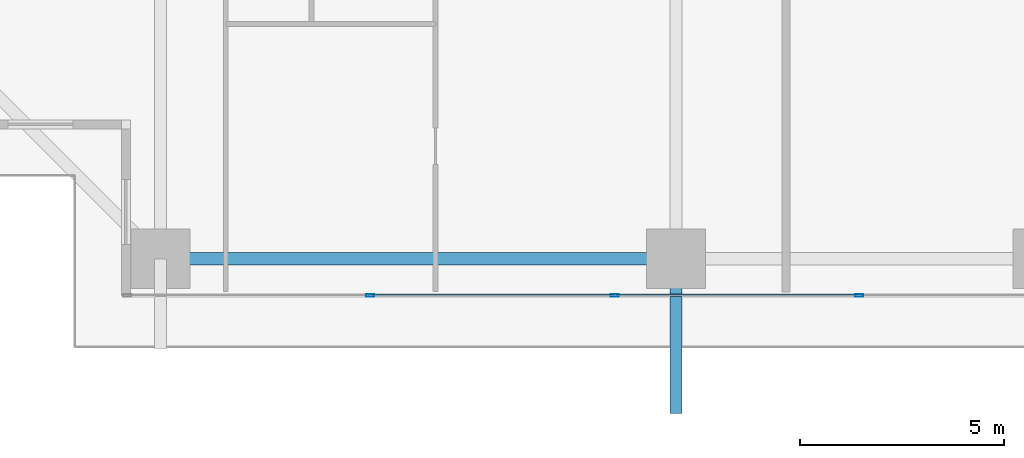
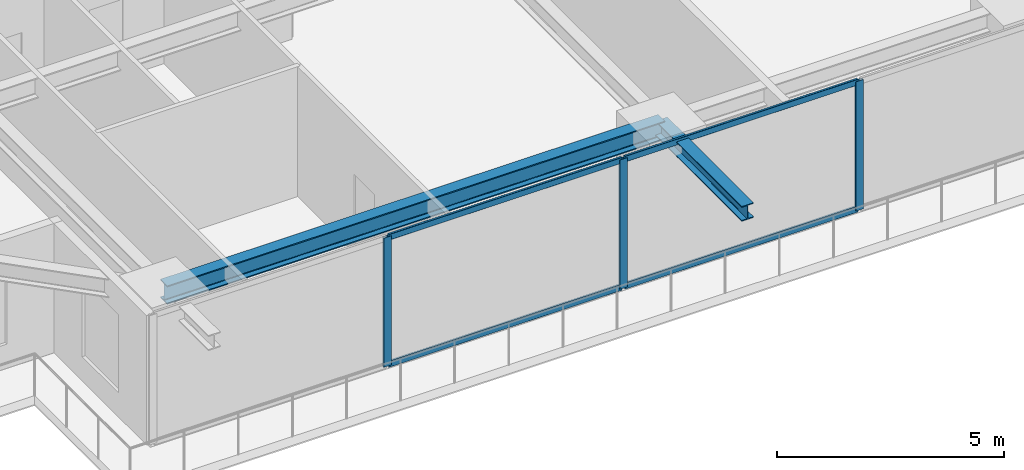
# One storey, part 4 of 36: 7 members, 2 beams, 1 element without a shape of its own.
"""IFC4 building model written with IfcOpenShell, lengths in metres."""

from ifc_helpers import new_model, si_unit, direction, frame, origin, origin_2d, place, context, subcontext, project, spatial, hollow_rectangle, i_section, extrude, source, transform, mapped, material, layer, layer_set, material_profile, profile_set, type_object, element, aggregate, save


model = new_model("IFC4")

# Units and contexts
model_context = context("Model", 3, precision=1e-05, world=origin(), true_north=direction((0.0, 1.0)))
body_context = subcontext(model_context, "Body", "Model", "MODEL_VIEW")
ifc_project = project(units=[si_unit("LENGTHUNIT", "METRE"), si_unit("AREAUNIT", "SQUARE_METRE"), si_unit("VOLUMEUNIT", "CUBIC_METRE"), si_unit("PLANEANGLEUNIT", "RADIAN"), si_unit("MASSUNIT", "GRAM", prefix="KILO")], contexts=[model_context])

# Site, building, storey
site_placement = place(None, origin())
site = spatial("IfcSite", under=ifc_project, at=site_placement, CompositionType="ELEMENT")
building_placement = place(site_placement, origin())
building = spatial("IfcBuilding", under=site, at=building_placement, Name="Serunith Strait Residences", CompositionType="ELEMENT")
storey_placement = place(building_placement, frame((0.0, 0.0, 41.699951171875)))
storey = spatial("IfcBuildingStorey", under=building, at=storey_placement, Name="L09", CompositionType="ELEMENT", Elevation=41.699951171875)

# Beams
ifc_material_1 = material(Name="Steel S355J2", Category="steel")
ifc_material_profile_1 = material_profile(ifc_material_1, i_section(OverallWidth=0.300048828125, OverallDepth=0.5, WebThickness=0.014404296875, FlangeThickness=0.028076171875, FilletRadius=0.027099609375, at=origin_2d()), Name="HEB 500")
ifc_profile_set_1 = profile_set([ifc_material_profile_1], Name="Steel S355J2")
beam_type_1 = type_object("IfcBeamType", Name="BM-HEB500", PredefinedType="BEAM", material=ifc_profile_set_1)
shared_shape_1 = source(origin(), body_context, "Body", "SweptSolid", [
    extrude(i_section(OverallWidth=0.300048828125, OverallDepth=0.5, WebThickness=0.014404296875, FlangeThickness=0.028076171875, FilletRadius=0.027099609375, at=origin_2d()), origin(), (0.0, 0.0, 1.0), 12.64990234375),
])
beam_1_placement = place(storey_placement, frame((15.25, 1.10009765625, 3.237060546875), z_axis=(1.0, 0.0, 0.0), x_axis=(0.0, 1.0, 0.0)))
element("IfcBeam", 1, at=beam_1_placement, inside=storey, type_object=beam_type_1, Name="L09 Perimeter Ring Beam 01", PredefinedType="BEAM", context=body_context, shape_type="MappedRepresentation", body=[
    mapped(shared_shape_1, transform((0.0, 0.0, 0.0), scale=1.0)),
])
ifc_material_profile_2 = material_profile(ifc_material_1, i_section(OverallWidth=0.300048828125, OverallDepth=0.39990234375, WebThickness=0.013427734375, FlangeThickness=0.02392578125, FilletRadius=0.027099609375, at=origin_2d()), Name="HEB 400")
ifc_profile_set_2 = profile_set([ifc_material_profile_2], Name="Steel S355J2")
beam_type_2 = type_object("IfcBeamType", Name="BM-HEB400", PredefinedType="BEAM", material=ifc_profile_set_2)
shared_shape_2 = source(origin(), body_context, "Body", "SweptSolid", [
    extrude(i_section(OverallWidth=0.300048828125, OverallDepth=0.39990234375, WebThickness=0.013427734375, FlangeThickness=0.02392578125, FilletRadius=0.027099609375, at=origin_2d()), origin(), (0.0, 0.0, 1.0), 3.800048828125),
])
beam_2_placement = place(storey_placement, frame((27.89990234375, 1.10009765625, 3.257080078125), z_axis=(0.0, -1.0, 0.0), x_axis=(1.0, 0.0, 0.0)))
element("IfcBeam", 2, at=beam_2_placement, inside=storey, type_object=beam_type_2, Name="L10 Cantilevered Balcony Rib TC-S2", PredefinedType="BEAM", context=body_context, shape_type="MappedRepresentation", body=[
    mapped(shared_shape_2, transform((0.0, 0.0, 0.0), scale=1.0)),
])

# Curtain wall, members
ifc_material_2 = material(Name="Pale-Champagne Anodised Aluminium", Category="aluminium")
ifc_layer = layer(ifc_material_2, 0.199951171875, Name="Pale-Champagne Anodised Aluminium")
ifc_layer_set = layer_set([ifc_layer], Name="Pale-Champagne Anodised Aluminium")
curtain_wall_type = type_object("IfcCurtainWallType", Name="CW-SYS1", PredefinedType="NOTDEFINED", material=ifc_layer_set)
curtain_wall_placement = place(storey_placement, origin())
curtain_wall = element("IfcCurtainWall", 3, at=curtain_wall_placement, inside=storey, type_object=curtain_wall_type, Name="L09 S Unitised Fritted Curtain Wall", PredefinedType="NOTDEFINED")
ifc_material_profile_3 = material_profile(ifc_material_2, hollow_rectangle(XDim=0.070068359375, YDim=0.199951171875, WallThickness=0.00390625, InnerFilletRadius=0.006103515625, OuterFilletRadius=0.010009765625, at=origin_2d()), Name="ALU 200x70x4")
ifc_profile_set_3 = profile_set([ifc_material_profile_3], Name="Pale-Champagne Anodised Aluminium")
member_type_1 = type_object("IfcMemberType", Name="CW-SYS1-MULL", PredefinedType="MULLION", material=ifc_profile_set_3)
shared_shape_3 = source(origin(), body_context, "Body", "SweptSolid", [
    extrude(hollow_rectangle(XDim=0.070068359375, YDim=0.199951171875, WallThickness=0.00390625, InnerFilletRadius=0.006103515625, OuterFilletRadius=0.010009765625, at=origin_2d()), origin(), (0.0, 0.0, 1.0), 3.47509765625),
])
member_1_placement = place(storey_placement, frame((20.39990234375, 0.199951171875, 0.0), z_axis=(0.0, 0.0, 1.0), x_axis=(0.0, 1.0, 0.0)))
member_1 = element("IfcMember", 4, at=member_1_placement, type_object=member_type_1, Name="CW-1 mullion 2", PredefinedType="MULLION", context=body_context, shape_type="MappedRepresentation", body=[
    mapped(shared_shape_3, transform((0.0, 0.0, 0.0), scale=1.0)),
])
member_2_placement = place(storey_placement, frame((26.39990234375, 0.199951171875, 0.0), z_axis=(0.0, 0.0, 1.0), x_axis=(0.0, 1.0, 0.0)))
member_2 = element("IfcMember", 5, at=member_2_placement, type_object=member_type_1, Name="CW-1 mullion 3", PredefinedType="MULLION", context=body_context, shape_type="MappedRepresentation", body=[
    mapped(shared_shape_3, transform((0.0, 0.0, 0.0), scale=1.0)),
])
member_3_placement = place(storey_placement, frame((32.39990234375, 0.199951171875, 0.0), z_axis=(0.0, 0.0, 1.0), x_axis=(0.0, 1.0, 0.0)))
member_3 = element("IfcMember", 6, at=member_3_placement, type_object=member_type_1, Name="CW-1 mullion 4", PredefinedType="MULLION", context=body_context, shape_type="MappedRepresentation", body=[
    mapped(shared_shape_3, transform((0.0, 0.0, 0.0), scale=1.0)),
])
ifc_material_profile_4 = material_profile(ifc_material_2, hollow_rectangle(XDim=0.06005859375, YDim=0.159912109375, WallThickness=0.00341796875, InnerFilletRadius=0.00537109375, OuterFilletRadius=0.0087890625, at=origin_2d()), Name="ALU 160x60x3.5")
ifc_profile_set_4 = profile_set([ifc_material_profile_4], Name="Pale-Champagne Anodised Aluminium")
member_type_2 = type_object("IfcMemberType", Name="CW-SYS1-TRAN", PredefinedType="USERDEFINED", material=ifc_profile_set_4)
shared_shape_4 = source(origin(), body_context, "Body", "SweptSolid", [
    extrude(hollow_rectangle(XDim=0.06005859375, YDim=0.159912109375, WallThickness=0.00341796875, InnerFilletRadius=0.00537109375, OuterFilletRadius=0.0087890625, at=origin_2d()), origin(), (0.0, 0.0, 1.0), 5.929931640625),
])
member_4_placement = place(storey_placement, frame((20.43505859375, 0.199951171875, 0.030029296875), z_axis=(1.0, 0.0, 0.0), x_axis=(0.0, 1.0, 0.0)))
member_4 = element("IfcMember", 7, at=member_4_placement, type_object=member_type_2, Name="CW-1 transom 2.1", ObjectType="TRANSOM", PredefinedType="USERDEFINED", context=body_context, shape_type="MappedRepresentation", body=[
    mapped(shared_shape_4, transform((0.0, 0.0, 0.0), scale=1.0)),
])
member_5_placement = place(storey_placement, frame((20.43505859375, 0.199951171875, 3.445068359375), z_axis=(1.0, 0.0, 0.0), x_axis=(0.0, 1.0, 0.0)))
member_5 = element("IfcMember", 8, at=member_5_placement, type_object=member_type_2, Name="CW-1 transom 2.2", ObjectType="TRANSOM", PredefinedType="USERDEFINED", context=body_context, shape_type="MappedRepresentation", body=[
    mapped(shared_shape_4, transform((0.0, 0.0, 0.0), scale=1.0)),
])
member_6_placement = place(storey_placement, frame((26.43505859375, 0.199951171875, 0.030029296875), z_axis=(1.0, 0.0, 0.0), x_axis=(0.0, 1.0, 0.0)))
member_6 = element("IfcMember", 9, at=member_6_placement, type_object=member_type_2, Name="CW-1 transom 3.1", ObjectType="TRANSOM", PredefinedType="USERDEFINED", context=body_context, shape_type="MappedRepresentation", body=[
    mapped(shared_shape_4, transform((0.0, 0.0, 0.0), scale=1.0)),
])
member_7_placement = place(storey_placement, frame((26.43505859375, 0.199951171875, 3.445068359375), z_axis=(1.0, 0.0, 0.0), x_axis=(0.0, 1.0, 0.0)))
member_7 = element("IfcMember", 10, at=member_7_placement, type_object=member_type_2, Name="CW-1 transom 3.2", ObjectType="TRANSOM", PredefinedType="USERDEFINED", context=body_context, shape_type="MappedRepresentation", body=[
    mapped(shared_shape_4, transform((0.0, 0.0, 0.0), scale=1.0)),
])
aggregate(curtain_wall, [member_1, member_2, member_3, member_4, member_5, member_6, member_7])

save(model, "model.ifc")
